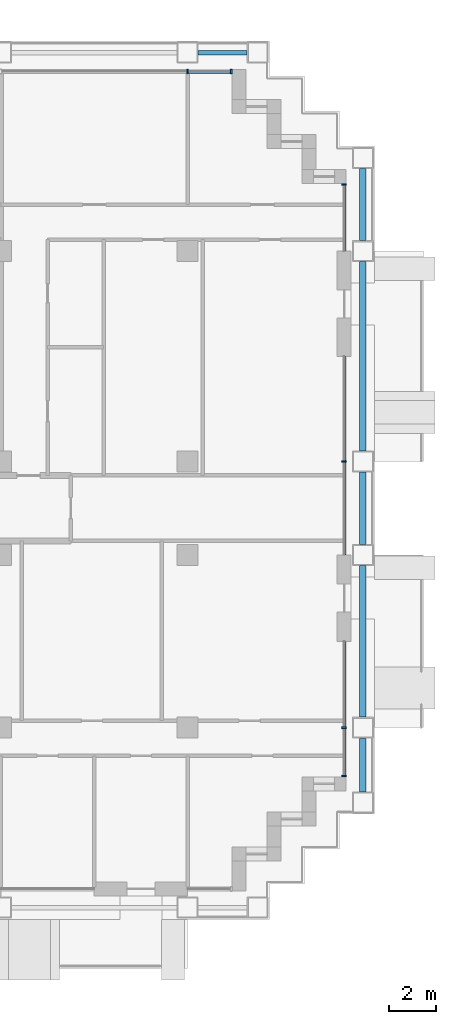
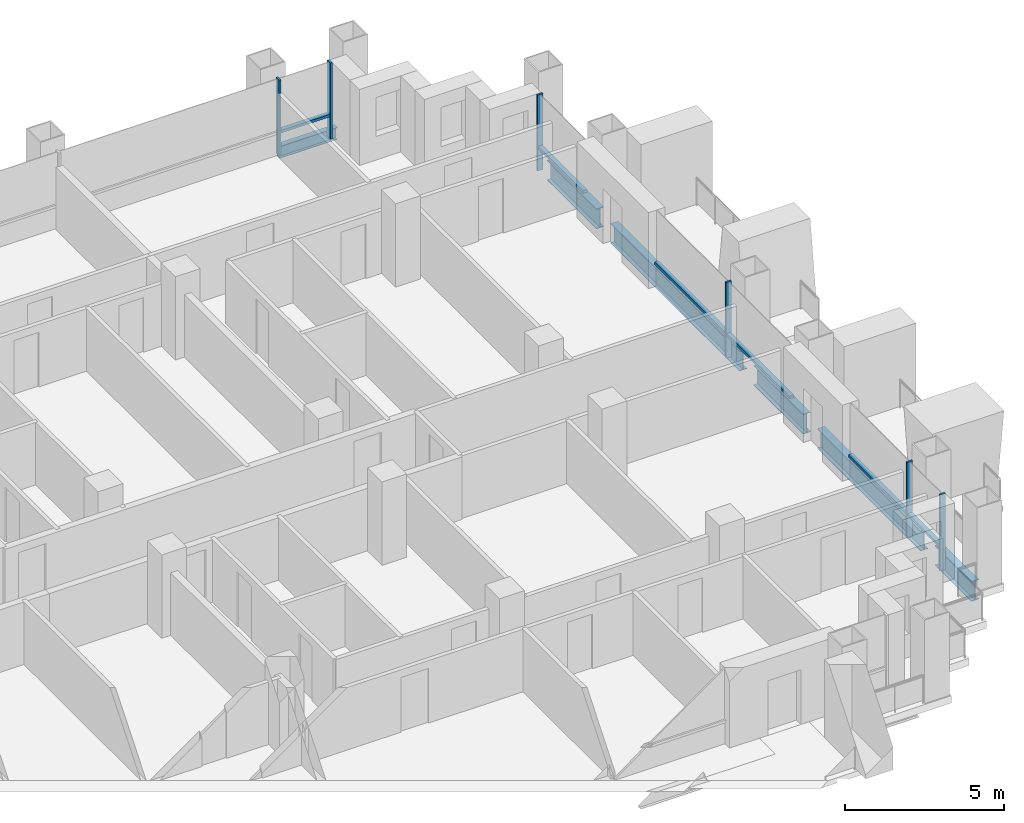
# One storey, part 6 of 17: 12 members, 6 beams, 4 elements without a shape of their own.
"""IFC4 building model written with IfcOpenShell, lengths in metres."""

import ifcopenshell
import ifcopenshell.guid

model = None  # the IFC model being written
_history = None  # IfcOwnerHistory: only IFC2X3 demands one
_inside = {}  # id of a spatial element -> (the spatial element, [elements in it])
_under = {}  # id of a project, library or spatial element -> (it, [spatial elements below it])
_declared = {}  # id of a project -> (the project, [libraries it declares])
_typed = {}  # id of a type object -> (the type object, [elements of that type])
_made_of = {}  # id of a material, layer set ... -> (it, [elements and type objects made of it])


def new_model(schema):
    """Start an empty IFC model of exactly this schema.

    Asked for "IFC4X3", IfcOpenShell would pick the latest addendum, in which some entities
    have other attributes; the version numbers below select the first issue.
    IFC2X3 requires an IfcOwnerHistory on every rooted entity: one is made here for all.
    """
    global model, _history
    if schema == "IFC4X3":
        model = ifcopenshell.file(schema_version=(4, 3, 0, 0))
    else:
        model = ifcopenshell.file(schema=schema)
    _inside.clear()
    _under.clear()
    _declared.clear()
    _typed.clear()
    _made_of.clear()
    _history = None
    if model.schema == "IFC2X3":
        org = make("IfcOrganization", Name="unknown")
        user = make(
            "IfcPersonAndOrganization",
            ThePerson=make("IfcPerson", FamilyName="unknown"),
            TheOrganization=org,
        )
        app = make(
            "IfcApplication",
            ApplicationDeveloper=org,
            Version="unknown",
            ApplicationFullName="unknown",
            ApplicationIdentifier="unknown",
        )
        _history = make(
            "IfcOwnerHistory",
            OwningUser=user,
            OwningApplication=app,
            ChangeAction="ADDED",
            CreationDate=0,
        )
    return model


def make(cls, **values):
    """One entity of the class cls with the attributes given. An attribute that is None is left unset."""
    return model.create_entity(
        cls, **{name: value for name, value in values.items() if value is not None}
    )


def rooted(cls, **values):
    """An entity with a GlobalId (a new one), such as an element, a storey or a relation."""
    return make(cls, GlobalId=ifcopenshell.guid.new(), OwnerHistory=_history, **values)


def si_unit(unit_type, name, prefix=None):
    """IfcSIUnit, for example si_unit("LENGTHUNIT", "METRE", prefix="MILLI")."""
    return make("IfcSIUnit", UnitType=unit_type, Prefix=prefix, Name=name)


def assignment(units):
    """IfcUnitAssignment: the units of a project."""
    return None if units is None else make("IfcUnitAssignment", Units=units)


def point(xyz):
    """IfcCartesianPoint."""
    return None if xyz is None else make("IfcCartesianPoint", Coordinates=xyz)


def direction(xyz):
    """IfcDirection."""
    return None if xyz is None else make("IfcDirection", DirectionRatios=xyz)


def frame(location, z_axis=None, x_axis=None):
    """IfcAxis2Placement3D, a coordinate frame: its origin and axes. An axis left out is left unset."""
    return make(
        "IfcAxis2Placement3D",
        Location=point(location),
        Axis=direction(z_axis),
        RefDirection=direction(x_axis),
    )


def frame_2d(location, x_axis=None):
    """IfcAxis2Placement2D, a coordinate frame in the plane: its origin and x axis."""
    return make(
        "IfcAxis2Placement2D", Location=point(location), RefDirection=direction(x_axis)
    )


def origin():
    """The frame at (0, 0, 0) with its axes left unset."""
    return frame((0.0, 0.0, 0.0))


def origin_2d():
    """The frame at (0, 0) in the plane with its x axis left unset."""
    return frame_2d((0.0, 0.0))


def place(relative_to, where):
    """IfcLocalPlacement: puts the frame where relative to a parent placement (None: the world)."""
    return make(
        "IfcLocalPlacement", PlacementRelTo=relative_to, RelativePlacement=where
    )


def context(
    kind, dimensions, precision=None, world=None, true_north=None, identifier=None
):
    """IfcGeometricRepresentationContext, for example the 3D "Model" context."""
    return make(
        "IfcGeometricRepresentationContext",
        ContextIdentifier=identifier,
        ContextType=kind,
        CoordinateSpaceDimension=dimensions,
        Precision=precision,
        WorldCoordinateSystem=world,
        TrueNorth=true_north,
    )


def subcontext(parent, identifier, kind, view, scale=None):
    """IfcGeometricRepresentationSubContext, for example "Body" below "Model"."""
    return make(
        "IfcGeometricRepresentationSubContext",
        ContextIdentifier=identifier,
        ContextType=kind,
        ParentContext=parent,
        TargetScale=scale,
        TargetView=view,
    )


def project(units=None, contexts=None):
    """IfcProject with its units and contexts."""
    return rooted(
        "IfcProject",
        Name="project",
        RepresentationContexts=contexts,
        UnitsInContext=assignment(units),
    )


def spatial(cls, under=None, at=None, **own):
    """A site, building, storey or space (cls), placed at a placement, below another one or the project."""
    s = rooted(cls, ObjectPlacement=at, **own)
    if under is not None:
        _under.setdefault(under.id(), (under, []))[1].append(s)
    return s


def profile(cls, at=None, kind="AREA", **sizes):
    """A parametric profile (cls). Its sizes go by their IFC names, for example OverallWidth=200.0."""
    return make(cls, ProfileType=kind, Position=at, **sizes)


def rectangle(**sizes):
    """IfcRectangleProfileDef."""
    return profile("IfcRectangleProfileDef", **sizes)


def i_section(**sizes):
    """IfcIShapeProfileDef."""
    return profile("IfcIShapeProfileDef", **sizes)


def extrude(swept, where, along, depth):
    """IfcExtrudedAreaSolid: the profile swept, set in the frame where, extruded along a direction by depth."""
    return make(
        "IfcExtrudedAreaSolid",
        SweptArea=swept,
        Position=where,
        ExtrudedDirection=direction(along),
        Depth=depth,
    )


def shape(context_of_items, identifier, shape_type, items):
    """IfcShapeRepresentation: the items that make up one representation, for example the "Body"."""
    return make(
        "IfcShapeRepresentation",
        ContextOfItems=context_of_items,
        RepresentationIdentifier=identifier,
        RepresentationType=shape_type,
        Items=items,
    )


def material(Name=None, Category=None):
    """IfcMaterial."""
    return make("IfcMaterial", Name=Name, Category=Category)


def material_profile(
    of_material, cross_section, Name=None, Category=None, Priority=None
):
    """IfcMaterialProfile: a cross section and its material."""
    return make(
        "IfcMaterialProfile",
        Name=Name,
        Material=of_material,
        Profile=cross_section,
        Priority=Priority,
        Category=Category,
    )


def profile_set(profiles, Name=None, composite=None):
    """IfcMaterialProfileSet."""
    return make(
        "IfcMaterialProfileSet",
        Name=Name,
        MaterialProfiles=profiles,
        CompositeProfile=composite,
    )


def made_of(thing, what):
    """Note that an element or type object is made of a material, layer set ...; save() writes the relation."""
    if what is not None:
        _made_of.setdefault(what.id(), (what, []))[1].append(thing)
    return thing


def type_object(cls, material=None, **own):
    """A type object (cls), such as IfcWallType, which elements share."""
    return made_of(rooted(cls, **own), material)


def element(
    cls,
    number,
    at=None,
    inside=None,
    cuts=None,
    type_object=None,
    material=None,
    context=None,
    identifier="Body",
    shape_type=None,
    held_by="IfcProductDefinitionShape",
    body=None,
    shapes=None,
    **own,
):
    """One element of the class cls, such as IfcWall. Its Tag is "e" and its number.

    at: its placement. inside: the storey or other place that contains it. cuts: it is an
    opening in that element (IfcRelVoidsElement). A single representation is given by context,
    identifier, shape_type and body (its items); several are given by shapes. held_by: the class
    of the entity that holds the representations. save() writes the other relations.
    """
    e = rooted(cls, Tag="e%d" % number, ObjectPlacement=at, **own)
    if body is not None:
        shapes = [shape(context, identifier, shape_type, body)]
    if shapes is not None:
        e.Representation = make(held_by, Representations=shapes)
    if inside is not None:
        _inside.setdefault(inside.id(), (inside, []))[1].append(e)
    if cuts is not None:
        rooted(
            "IfcRelVoidsElement", RelatingBuildingElement=cuts, RelatedOpeningElement=e
        )
    if type_object is not None:
        _typed.setdefault(type_object.id(), (type_object, []))[1].append(e)
    return made_of(e, material)


def aggregate(whole, parts):
    """IfcRelAggregates: a whole, such as a stair, and the parts it consists of."""
    return rooted("IfcRelAggregates", RelatingObject=whole, RelatedObjects=parts)


def save(model, path):
    """Write the relations noted so far, then the file.

    IfcRelAggregates (storeys below a building ...), IfcRelContainedInSpatialStructure (elements
    in a storey), IfcRelDefinesByType, IfcRelAssociatesMaterial and IfcRelDeclares: one each for
    every whole, place, type object, material and project.
    """
    for whole, parts in _under.values():
        aggregate(whole, parts)
    for where, things in _inside.values():
        rooted(
            "IfcRelContainedInSpatialStructure",
            RelatedElements=things,
            RelatingStructure=where,
        )
    for kind, things in _typed.values():
        rooted("IfcRelDefinesByType", RelatedObjects=things, RelatingType=kind)
    for what, things in _made_of.values():
        rooted("IfcRelAssociatesMaterial", RelatedObjects=things, RelatingMaterial=what)
    for by, libraries in _declared.values():
        rooted("IfcRelDeclares", RelatingContext=by, RelatedDefinitions=libraries)
    model.write(path)


model = new_model("IFC4")

# Units and contexts
model_context = context("Model", 3, precision=1e-05, world=origin(), true_north=direction((0.0, 1.0)))
body_context = subcontext(model_context, "Body", "Model", "MODEL_VIEW")
ifc_project = project(units=[si_unit("LENGTHUNIT", "METRE"), si_unit("AREAUNIT", "SQUARE_METRE"), si_unit("VOLUMEUNIT", "CUBIC_METRE"), si_unit("PLANEANGLEUNIT", "RADIAN"), si_unit("MASSUNIT", "GRAM", prefix="KILO")], contexts=[model_context])

# Site, building, storey
site_placement = place(None, origin())
site = spatial("IfcSite", under=ifc_project, at=site_placement, CompositionType="ELEMENT")
building_placement = place(site_placement, origin())
building = spatial("IfcBuilding", under=site, at=building_placement, Name="Vidyagriha Tower", CompositionType="ELEMENT")
storey_placement = place(building_placement, frame((0.0, 0.0, 87.10009765625)))
storey = spatial("IfcBuildingStorey", under=building, at=storey_placement, Name="L22", CompositionType="ELEMENT", Elevation=87.10009765625)

# Beams
ifc_material_1 = material(Name="Steel ASTM A992 Grade 50", Category="steel")
ifc_material_profile_1 = material_profile(ifc_material_1, i_section(OverallWidth=0.2666015625, OverallDepth=0.76953125, WebThickness=0.015625, FlangeThickness=0.025390625, at=origin_2d()), Name="W30X132")
ifc_profile_set_1 = profile_set([ifc_material_profile_1], Name="Steel ASTM A992 Grade 50")
beam_type_1 = type_object("IfcBeamType", Name="Cantilever edge beam W30X132", PredefinedType="SPANDREL", material=ifc_profile_set_1)
beam_1_placement = place(storey_placement, frame((41.5, -12.14990234375, -0.664794921875), z_axis=(0.0, 1.0, 0.0), x_axis=(-1.0, 0.0, 0.0)))
element("IfcBeam", 1, at=beam_1_placement, inside=storey, type_object=beam_type_1, Name="st-beam-L22-E15", PredefinedType="SPANDREL", context=body_context, shape_type="SweptSolid", body=[
    extrude(i_section(OverallWidth=0.2666015625, OverallDepth=0.76953125, WebThickness=0.015625, FlangeThickness=0.025390625, at=origin_2d()), origin(), (0.0, 0.0, 1.0), 2.2998046875),
])
beam_2_placement = place(storey_placement, frame((41.5, -8.949951171875, -0.664794921875), z_axis=(0.0, 1.0, 0.0), x_axis=(-1.0, 0.0, 0.0)))
element("IfcBeam", 2, at=beam_2_placement, inside=storey, type_object=beam_type_1, Name="st-beam-L22-E16", PredefinedType="SPANDREL", context=body_context, shape_type="SweptSolid", body=[
    extrude(i_section(OverallWidth=0.2666015625, OverallDepth=0.76953125, WebThickness=0.015625, FlangeThickness=0.025390625, at=origin_2d()), origin(), (0.0, 0.0, 1.0), 6.5),
])
beam_3_placement = place(storey_placement, frame((41.5, -1.550048828125, -0.664794921875), z_axis=(0.0, 1.0, 0.0), x_axis=(-1.0, 0.0, 0.0)))
element("IfcBeam", 3, at=beam_3_placement, inside=storey, type_object=beam_type_1, Name="st-beam-L22-E17", PredefinedType="SPANDREL", context=body_context, shape_type="SweptSolid", body=[
    extrude(i_section(OverallWidth=0.2666015625, OverallDepth=0.76953125, WebThickness=0.015625, FlangeThickness=0.025390625, at=origin_2d()), origin(), (0.0, 0.0, 1.0), 3.10009765625),
])
beam_4_placement = place(storey_placement, frame((41.5, 2.449951171875, -0.664794921875), z_axis=(0.0, 1.0, 0.0), x_axis=(-1.0, 0.0, 0.0)))
element("IfcBeam", 4, at=beam_4_placement, inside=storey, type_object=beam_type_1, Name="st-beam-L22-E18", PredefinedType="SPANDREL", context=body_context, shape_type="SweptSolid", body=[
    extrude(i_section(OverallWidth=0.2666015625, OverallDepth=0.76953125, WebThickness=0.015625, FlangeThickness=0.025390625, at=origin_2d()), origin(), (0.0, 0.0, 1.0), 8.10009765625),
])
beam_5_placement = place(storey_placement, frame((41.5, 11.449951171875, -0.664794921875), z_axis=(0.0, 1.0, 0.0), x_axis=(-1.0, 0.0, 0.0)))
element("IfcBeam", 5, at=beam_5_placement, inside=storey, type_object=beam_type_1, Name="st-beam-L22-E19", PredefinedType="SPANDREL", context=body_context, shape_type="SweptSolid", body=[
    extrude(i_section(OverallWidth=0.2666015625, OverallDepth=0.76953125, WebThickness=0.015625, FlangeThickness=0.025390625, at=origin_2d()), origin(), (0.0, 0.0, 1.0), 3.10009765625),
])
ifc_material_2 = material(Name="Steel ASTM A992 Grade 50", Category="steel")
ifc_material_profile_2 = material_profile(ifc_material_2, i_section(OverallWidth=0.19189453125, OverallDepth=0.46240234375, WebThickness=0.010498046875, FlangeThickness=0.017578125, at=origin_2d()), Name="W18X60")
ifc_profile_set_2 = profile_set([ifc_material_profile_2], Name="Steel ASTM A992 Grade 50")
beam_type_2 = type_object("IfcBeamType", Name="Edge beam W18X60", PredefinedType="SPANDREL", material=ifc_profile_set_2)
beam_6_placement = place(storey_placement, frame((34.449951171875, 19.5, -0.51123046875), z_axis=(1.0, 0.0, 0.0), x_axis=(0.0, 1.0, 0.0)))
element("IfcBeam", 6, at=beam_6_placement, inside=storey, type_object=beam_type_2, Name="st-beam-L22-NE23", PredefinedType="SPANDREL", context=body_context, shape_type="SweptSolid", body=[
    extrude(i_section(OverallWidth=0.19189453125, OverallDepth=0.46240234375, WebThickness=0.010498046875, FlangeThickness=0.017578125, at=origin_2d()), origin(), (0.0, 0.0, 1.0), 2.10009765625),
])

# Curtain wall, members
ifc_material_3 = material(Name="Aluminium and glass curtain wall", Category="aluminium")
curtain_wall_type = type_object("IfcCurtainWallType", Name="Dwelling skin unitised curtain wall", PredefinedType="USERDEFINED", material=ifc_material_3)
curtain_wall_1_placement = place(storey_placement, origin())
curtain_wall_1 = element("IfcCurtainWall", 7, at=curtain_wall_1_placement, inside=storey, type_object=curtain_wall_type, Name="CW1 dwelling skin", ObjectType="UNITISED", PredefinedType="USERDEFINED")
ifc_material_4 = material(Name="Aluminium black anodised", Category="aluminium")
ifc_material_profile_3 = material_profile(ifc_material_4, rectangle(XDim=0.199951171875, YDim=0.070068359375, at=origin_2d()), Name="Mullion 70x200 black aluminium")
ifc_profile_set_3 = profile_set([ifc_material_profile_3], Name="Aluminium black anodised")
member_type_1 = type_object("IfcMemberType", Name="Mullion 70x200 black aluminium", PredefinedType="MULLION", material=ifc_profile_set_3)
member_1_placement = place(storey_placement, frame((35.864990234375, 18.699951171875, 0.0), z_axis=(0.0, 0.0, 1.0), x_axis=(0.0, -1.0, 0.0)))
member_1 = element("IfcMember", 8, at=member_1_placement, type_object=member_type_1, Name="CW1 mullion 1", PredefinedType="MULLION", context=body_context, shape_type="SweptSolid", body=[
    extrude(rectangle(XDim=0.199951171875, YDim=0.070068359375, at=origin_2d()), origin(), (0.0, 0.0, 1.0), 2.919921875),
])
member_2_placement = place(storey_placement, frame((34.0, 18.699951171875, 0.0), z_axis=(0.0, 0.0, 1.0), x_axis=(0.0, -1.0, 0.0)))
member_2 = element("IfcMember", 9, at=member_2_placement, type_object=member_type_1, Name="CW1 mullion 2", PredefinedType="MULLION", context=body_context, shape_type="SweptSolid", body=[
    extrude(rectangle(XDim=0.199951171875, YDim=0.070068359375, at=origin_2d()), origin(), (0.0, 0.0, 1.0), 2.919921875),
])

curtain_wall_2_placement = place(storey_placement, origin())
curtain_wall_2 = element("IfcCurtainWall", 10, at=curtain_wall_2_placement, inside=storey, type_object=curtain_wall_type, Name="CW1 dwelling skin", ObjectType="UNITISED", PredefinedType="USERDEFINED")
member_3_placement = place(storey_placement, frame((40.699951171875, -11.465087890625, 0.0), z_axis=(0.0, 0.0, 1.0), x_axis=(-1.0, 0.0, 0.0)))
member_3 = element("IfcMember", 11, at=member_3_placement, type_object=member_type_1, Name="CW1 mullion 1", PredefinedType="MULLION", context=body_context, shape_type="SweptSolid", body=[
    extrude(rectangle(XDim=0.199951171875, YDim=0.070068359375, at=origin_2d()), origin(), (0.0, 0.0, 1.0), 2.919921875),
])
member_4_placement = place(storey_placement, frame((40.699951171875, -9.39990234375, 0.0), z_axis=(0.0, 0.0, 1.0), x_axis=(-1.0, 0.0, 0.0)))
member_4 = element("IfcMember", 12, at=member_4_placement, type_object=member_type_1, Name="CW1 mullion 2", PredefinedType="MULLION", context=body_context, shape_type="SweptSolid", body=[
    extrude(rectangle(XDim=0.199951171875, YDim=0.070068359375, at=origin_2d()), origin(), (0.0, 0.0, 1.0), 2.919921875),
])

# Curtain wall, member
curtain_wall_3_placement = place(storey_placement, origin())
curtain_wall_3 = element("IfcCurtainWall", 13, at=curtain_wall_3_placement, inside=storey, type_object=curtain_wall_type, Name="CW1 dwelling skin", ObjectType="UNITISED", PredefinedType="USERDEFINED")
member_5_placement = place(storey_placement, frame((40.699951171875, 2.0, 0.0), z_axis=(0.0, 0.0, 1.0), x_axis=(-1.0, 0.0, 0.0)))
member_5 = element("IfcMember", 14, at=member_5_placement, type_object=member_type_1, Name="CW1 mullion 2", PredefinedType="MULLION", context=body_context, shape_type="SweptSolid", body=[
    extrude(rectangle(XDim=0.199951171875, YDim=0.070068359375, at=origin_2d()), origin(), (0.0, 0.0, 1.0), 2.919921875),
])

curtain_wall_4_placement = place(storey_placement, origin())
curtain_wall_4 = element("IfcCurtainWall", 15, at=curtain_wall_4_placement, inside=storey, type_object=curtain_wall_type, Name="CW1 dwelling skin", ObjectType="UNITISED", PredefinedType="USERDEFINED")
member_6_placement = place(storey_placement, frame((40.699951171875, 13.864990234375, 0.0), z_axis=(0.0, 0.0, 1.0), x_axis=(-1.0, 0.0, 0.0)))
member_6 = element("IfcMember", 16, at=member_6_placement, type_object=member_type_1, Name="CW1 mullion 2", PredefinedType="MULLION", context=body_context, shape_type="SweptSolid", body=[
    extrude(rectangle(XDim=0.199951171875, YDim=0.070068359375, at=origin_2d()), origin(), (0.0, 0.0, 1.0), 2.919921875),
])

# Member
ifc_material_5 = material(Name="Aluminium black anodised", Category="aluminium")
ifc_material_profile_4 = material_profile(ifc_material_5, rectangle(XDim=0.159912109375, YDim=0.10009765625, at=origin_2d()), Name="Transom 100x160 black aluminium")
ifc_profile_set_4 = profile_set([ifc_material_profile_4], Name="Aluminium black anodised")
member_type_2 = type_object("IfcMemberType", Name="Transom 100x160 black aluminium", PredefinedType="USERDEFINED", material=ifc_profile_set_4)
member_7_placement = place(storey_placement, frame((35.830078125, 18.699951171875, 0.89990234375), z_axis=(-1.0, 0.0, 0.0), x_axis=(0.0, -1.0, 0.0)))
member_7 = element("IfcMember", 17, at=member_7_placement, type_object=member_type_2, Name="CW1 transom 1.1", ObjectType="TRANSOM", PredefinedType="USERDEFINED", context=body_context, shape_type="SweptSolid", body=[
    extrude(rectangle(XDim=0.159912109375, YDim=0.10009765625, at=origin_2d()), origin(), (0.0, 0.0, 1.0), 1.795166015625),
])

aggregate(curtain_wall_1, [member_1, member_2, member_7])

member_8_placement = place(storey_placement, frame((40.699951171875, -11.429931640625, 0.89990234375), z_axis=(0.0, 1.0, 0.0), x_axis=(-1.0, 0.0, 0.0)))
member_8 = element("IfcMember", 18, at=member_8_placement, type_object=member_type_2, Name="CW1 transom 1.1", ObjectType="TRANSOM", PredefinedType="USERDEFINED", context=body_context, shape_type="SweptSolid", body=[
    extrude(rectangle(XDim=0.159912109375, YDim=0.10009765625, at=origin_2d()), origin(), (0.0, 0.0, 1.0), 1.994873046875),
])

member_9_placement = place(storey_placement, frame((40.699951171875, -9.364990234375, 0.89990234375), z_axis=(0.0, 1.0, 0.0), x_axis=(-1.0, 0.0, 0.0)))
member_9 = element("IfcMember", 19, at=member_9_placement, type_object=member_type_2, Name="CW1 transom 2.1", ObjectType="TRANSOM", PredefinedType="USERDEFINED", context=body_context, shape_type="SweptSolid", body=[
    extrude(rectangle(XDim=0.159912109375, YDim=0.10009765625, at=origin_2d()), origin(), (0.0, 0.0, 1.0), 3.6650390625),
])

aggregate(curtain_wall_2, [member_3, member_4, member_8, member_9])

member_10_placement = place(storey_placement, frame((40.699951171875, -2.0, 0.89990234375), z_axis=(0.0, 1.0, 0.0), x_axis=(-1.0, 0.0, 0.0)))
member_10 = element("IfcMember", 20, at=member_10_placement, type_object=member_type_2, Name="CW1 transom 1.1", ObjectType="TRANSOM", PredefinedType="USERDEFINED", context=body_context, shape_type="SweptSolid", body=[
    extrude(rectangle(XDim=0.159912109375, YDim=0.10009765625, at=origin_2d()), origin(), (0.0, 0.0, 1.0), 3.965087890625),
])

member_11_placement = place(storey_placement, frame((40.699951171875, 2.034912109375, 0.89990234375), z_axis=(0.0, 1.0, 0.0), x_axis=(-1.0, 0.0, 0.0)))
member_11 = element("IfcMember", 21, at=member_11_placement, type_object=member_type_2, Name="CW1 transom 2.1", ObjectType="TRANSOM", PredefinedType="USERDEFINED", context=body_context, shape_type="SweptSolid", body=[
    extrude(rectangle(XDim=0.159912109375, YDim=0.10009765625, at=origin_2d()), origin(), (0.0, 0.0, 1.0), 4.465087890625),
])

aggregate(curtain_wall_3, [member_5, member_10, member_11])

member_12_placement = place(storey_placement, frame((40.699951171875, 11.0, 0.89990234375), z_axis=(0.0, 1.0, 0.0), x_axis=(-1.0, 0.0, 0.0)))
member_12 = element("IfcMember", 22, at=member_12_placement, type_object=member_type_2, Name="CW1 transom 1.1", ObjectType="TRANSOM", PredefinedType="USERDEFINED", context=body_context, shape_type="SweptSolid", body=[
    extrude(rectangle(XDim=0.159912109375, YDim=0.10009765625, at=origin_2d()), origin(), (0.0, 0.0, 1.0), 2.830078125),
])

aggregate(curtain_wall_4, [member_6, member_12])

save(model, "model.ifc")
